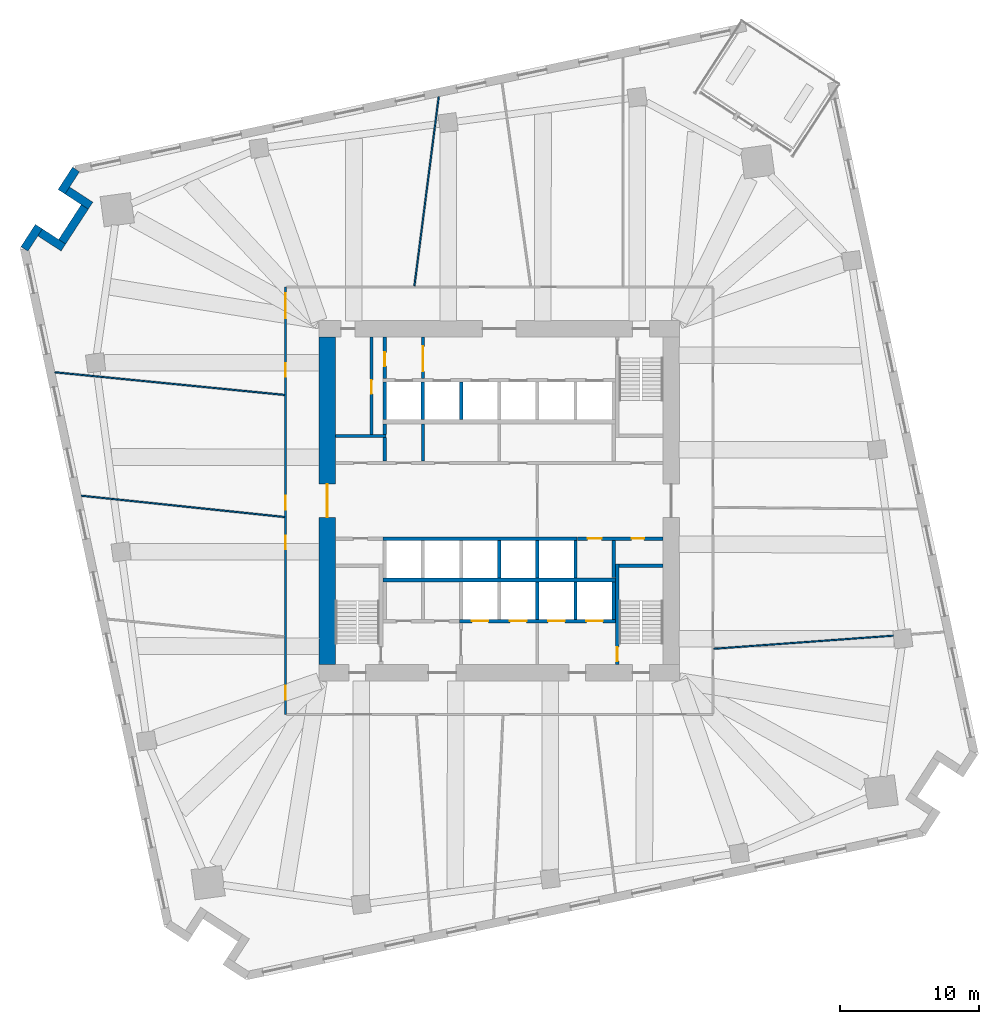
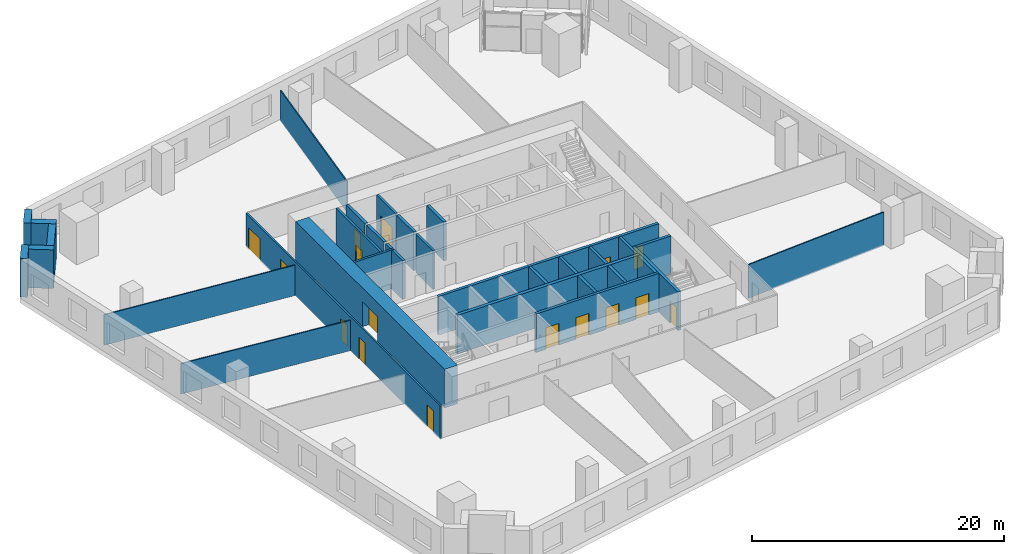
# One storey, part 5 of 10: 34 walls, 16 doors, 16 openings.
"""IFC4 building model written with IfcOpenShell, lengths in metres."""

from ifc_helpers import new_model, si_unit, direction, frame, frame_2d, origin, place, context, subcontext, project, spatial, rectangle, extrude, material, layer, layer_set, type_object, element, fill, save


model = new_model("IFC4")

# Units and contexts
model_context = context("Model", 3, precision=1e-05, world=origin(), true_north=direction((0.0, 1.0)))
body_context = subcontext(model_context, "Body", "Model", "MODEL_VIEW")
ifc_project = project(units=[si_unit("LENGTHUNIT", "METRE"), si_unit("AREAUNIT", "SQUARE_METRE"), si_unit("VOLUMEUNIT", "CUBIC_METRE"), si_unit("PLANEANGLEUNIT", "RADIAN"), si_unit("MASSUNIT", "GRAM", prefix="KILO")], contexts=[model_context])

# Site, building, storey
site_placement = place(None, origin())
site = spatial("IfcSite", under=ifc_project, at=site_placement, CompositionType="ELEMENT")
building_placement = place(site_placement, origin())
building = spatial("IfcBuilding", under=site, at=building_placement, Name="Dilmun Exchange Tower", CompositionType="ELEMENT")
storey_placement = place(building_placement, frame((0.0, 0.0, 68.10009765625)))
storey = spatial("IfcBuildingStorey", under=building, at=storey_placement, Name="L15", CompositionType="ELEMENT", Elevation=68.10009765625)

# Walls
ifc_material_1 = material(Name="Concrete C40/50", Category="concrete")
ifc_layer_1 = layer(ifc_material_1, 0.199951171875)
ifc_layer_set_1 = layer_set([ifc_layer_1], Name="Concrete C40/50")
wall_type_1 = type_object("IfcWallType", Name="Core partition wall 200", PredefinedType="PARTITIONING", material=ifc_layer_set_1)
wall_1_placement = place(storey_placement, frame((-5.5, 2.85498046875, 0.0), z_axis=(0.0, 0.0, 1.0), x_axis=(0.0, 1.0, 0.0)))
element("IfcWall", 1, at=wall_1_placement, inside=storey, type_object=wall_type_1, Name="L15 core partition wall 12", PredefinedType="PARTITIONING", context=body_context, shape_type="SweptSolid", body=[
    extrude(rectangle(XDim=2.68994140625, YDim=0.199951171875, at=frame_2d((1.344970703125, 0.0))), origin(), (0.0, 0.0, 1.0), 3.75),
])
wall_2_placement = place(storey_placement, frame((-11.794921875, 4.675048828125, 0.0), z_axis=(0.0, 0.0, 1.0), x_axis=(1.0, 0.0, 0.0)))
element("IfcWall", 2, at=wall_2_placement, inside=storey, type_object=wall_type_1, Name="L15 core partition wall 15", PredefinedType="PARTITIONING", context=body_context, shape_type="SweptSolid", body=[
    extrude(rectangle(XDim=3.64501953125, YDim=0.199951171875, at=frame_2d((1.822509765625, 0.0))), origin(), (0.0, 0.0, 1.0), 3.75),
])

# Wall, opening, door
wall_3_placement = place(storey_placement, frame((-9.199951171875, 4.780029296875, 0.0), z_axis=(0.0, 0.0, 1.0), x_axis=(0.0, 1.0, 0.0)))
wall_3 = element("IfcWall", 3, at=wall_3_placement, inside=storey, type_object=wall_type_1, Name="L15 core partition wall 16", PredefinedType="PARTITIONING", context=body_context, shape_type="SweptSolid", body=[
    extrude(rectangle(XDim=7.014892578125, YDim=0.199951171875, at=frame_2d((3.50732421875, 0.0))), origin(), (0.0, 0.0, 1.0), 3.75),
])
opening_1_placement = place(wall_3_placement, frame((2.919921875, 0.0, 0.0)))
opening_1 = element("IfcOpeningElement", 4, at=opening_1_placement, cuts=wall_3, Name="Opening CD4", PredefinedType="OPENING", context=body_context, shape_type="SweptSolid", body=[
    extrude(rectangle(XDim=1.0, YDim=2.10009765625, at=frame_2d((0.5, 1.050048828125))), frame((0.0, 0.10986328125, 0.0), z_axis=(0.0, -1.0, 0.0), x_axis=(1.0, 0.0, 0.0)), (0.0, 0.0, 1.0), 0.219970703125),
])
ifc_material_2 = material(Name="Fire-rated steel door set", Category="steel")
door_type_1 = type_object("IfcDoorType", Name="Core room door 1000x2100", OperationType="SINGLE_SWING_LEFT", PredefinedType="DOOR", material=ifc_material_2)
door_1_placement = place(opening_1_placement, origin())
door_1 = element("IfcDoor", 5, at=door_1_placement, inside=storey, type_object=door_type_1, Name="L15 door Fire safety store", OperationType="SINGLE_SWING_RIGHT", OverallHeight=2.10009765625, OverallWidth=1.0, PredefinedType="DOOR", context=body_context, shape_type="SweptSolid", body=[
    extrude(rectangle(XDim=1.0, YDim=2.10009765625, at=frame_2d((0.5, 1.050048828125))), frame((0.0, 0.02490234375, 0.0), z_axis=(0.0, -1.0, 0.0), x_axis=(1.0, 0.0, 0.0)), (0.0, 0.0, 1.0), 0.050048828125),
])
fill(opening_1, door_1)

wall_4_placement = place(storey_placement, frame((-5.5, 8.804931640625, 0.0), z_axis=(0.0, 0.0, 1.0), x_axis=(0.0, 1.0, 0.0)))
wall_4 = element("IfcWall", 6, at=wall_4_placement, inside=storey, type_object=wall_type_1, Name="L15 core partition wall 19", PredefinedType="PARTITIONING", context=body_context, shape_type="SweptSolid", body=[
    extrude(rectangle(XDim=2.989990234375, YDim=0.199951171875, at=frame_2d((1.4951171875, 0.0))), origin(), (0.0, 0.0, 1.0), 3.75),
])
opening_2_placement = place(wall_4_placement, frame((0.532470703125, 0.0, 0.0)))
opening_2 = element("IfcOpeningElement", 7, at=opening_2_placement, cuts=wall_4, Name="Opening CD5", PredefinedType="OPENING", context=body_context, shape_type="SweptSolid", body=[
    extrude(rectangle(XDim=1.800048828125, YDim=2.10009765625, at=frame_2d((0.89990234375, 1.050048828125))), frame((0.0, 0.10986328125, 0.0), z_axis=(0.0, -1.0, 0.0), x_axis=(1.0, 0.0, 0.0)), (0.0, 0.0, 1.0), 0.219970703125),
])
door_type_2 = type_object("IfcDoorType", Name="Stair exit door 1800x2100", OperationType="SINGLE_SWING_LEFT", PredefinedType="DOOR", material=ifc_material_2)
door_2_placement = place(opening_2_placement, origin())
door_2 = element("IfcDoor", 8, at=door_2_placement, inside=storey, type_object=door_type_2, Name="L15 door Lift lobby east", OperationType="SINGLE_SWING_LEFT", OverallHeight=2.10009765625, OverallWidth=1.800048828125, PredefinedType="DOOR", context=body_context, shape_type="SweptSolid", body=[
    extrude(rectangle(XDim=1.800048828125, YDim=2.10009765625, at=frame_2d((0.89990234375, 1.050048828125))), frame((0.0, 0.02490234375, 0.0), z_axis=(0.0, -1.0, 0.0), x_axis=(1.0, 0.0, 0.0)), (0.0, 0.0, 1.0), 0.050048828125),
])
fill(opening_2, door_2)

# Wall
ifc_layer_2 = layer(ifc_material_1, 0.25)
ifc_layer_set_2 = layer_set([ifc_layer_2], Name="Concrete C40/50")
wall_type_2 = type_object("IfcWallType", Name="Core partition wall 250", PredefinedType="PARTITIONING", material=ifc_layer_set_2)
wall_5_placement = place(storey_placement, frame((8.25, -5.544921875, 0.0), z_axis=(0.0, 0.0, 1.0), x_axis=(0.0, 1.0, 0.0)))
element("IfcWall", 9, at=wall_5_placement, inside=storey, type_object=wall_type_2, Name="L15 core partition wall 06", PredefinedType="PARTITIONING", context=body_context, shape_type="SweptSolid", body=[
    extrude(rectangle(XDim=2.68994140625, YDim=0.25, at=frame_2d((1.344970703125, 0.0))), origin(), (0.0, 0.0, 1.0), 3.75),
])

# Wall, openings, doors
wall_6_placement = place(storey_placement, frame((5.6298828125, -2.72509765625, 0.0), z_axis=(0.0, 0.0, 1.0), x_axis=(1.0, 0.0, 0.0)))
wall_6 = element("IfcWall", 10, at=wall_6_placement, inside=storey, type_object=wall_type_2, Name="L15 core partition wall 08", PredefinedType="PARTITIONING", context=body_context, shape_type="SweptSolid", body=[
    extrude(rectangle(XDim=6.1650390625, YDim=0.25, at=frame_2d((3.08251953125, 0.0))), origin(), (0.0, 0.0, 1.0), 3.75),
])
opening_3_placement = place(wall_6_placement, frame((0.7451171875, 0.0, 0.0)))
opening_3 = element("IfcOpeningElement", 11, at=opening_3_placement, cuts=wall_6, Name="Opening CD4", PredefinedType="OPENING", context=body_context, shape_type="SweptSolid", body=[
    extrude(rectangle(XDim=1.0, YDim=2.10009765625, at=frame_2d((0.5, 1.050048828125))), frame((0.0, 0.135009765625, 0.0), z_axis=(0.0, -1.0, 0.0), x_axis=(1.0, 0.0, 0.0)), (0.0, 0.0, 1.0), 0.27001953125),
])
opening_4_placement = place(wall_6_placement, frame((3.919921875, 0.0, 0.0)))
opening_4 = element("IfcOpeningElement", 12, at=opening_4_placement, cuts=wall_6, Name="Opening CD6", PredefinedType="OPENING", context=body_context, shape_type="SweptSolid", body=[
    extrude(rectangle(XDim=0.89990234375, YDim=2.10009765625, at=frame_2d((0.449951171875, 1.050048828125))), frame((0.0, 0.135009765625, 0.0), z_axis=(0.0, -1.0, 0.0), x_axis=(1.0, 0.0, 0.0)), (0.0, 0.0, 1.0), 0.27001953125),
])
door_3_placement = place(opening_3_placement, origin())
door_3 = element("IfcDoor", 13, at=door_3_placement, inside=storey, type_object=door_type_1, Name="L15 door Cleaners' store", OperationType="SINGLE_SWING_RIGHT", OverallHeight=2.10009765625, OverallWidth=1.0, PredefinedType="DOOR", context=body_context, shape_type="SweptSolid", body=[
    extrude(rectangle(XDim=1.0, YDim=2.10009765625, at=frame_2d((0.5, 1.050048828125))), frame((0.0, 0.02490234375, 0.0), z_axis=(0.0, -1.0, 0.0), x_axis=(1.0, 0.0, 0.0)), (0.0, 0.0, 1.0), 0.050048828125),
])
fill(opening_3, door_3)
door_type_3 = type_object("IfcDoorType", Name="Core room door 900x2100", OperationType="SINGLE_SWING_LEFT", PredefinedType="DOOR", material=ifc_material_2)
door_4_placement = place(opening_4_placement, origin())
door_4 = element("IfcDoor", 14, at=door_4_placement, inside=storey, type_object=door_type_3, Name="L15 door Comms riser", OperationType="SINGLE_SWING_RIGHT", OverallHeight=2.10009765625, OverallWidth=0.89990234375, PredefinedType="DOOR", context=body_context, shape_type="SweptSolid", body=[
    extrude(rectangle(XDim=0.89990234375, YDim=2.10009765625, at=frame_2d((0.449951171875, 1.050048828125))), frame((0.0, 0.02490234375, 0.0), z_axis=(0.0, -1.0, 0.0), x_axis=(1.0, 0.0, 0.0)), (0.0, 0.0, 1.0), 0.050048828125),
])
fill(opening_4, door_4)

# Walls
wall_7_placement = place(storey_placement, frame((-8.25, 2.85498046875, 0.0), z_axis=(0.0, 0.0, 1.0), x_axis=(0.0, 1.0, 0.0)))
element("IfcWall", 15, at=wall_7_placement, inside=storey, type_object=wall_type_2, Name="L15 core partition wall 11", PredefinedType="PARTITIONING", context=body_context, shape_type="SweptSolid", body=[
    extrude(rectangle(XDim=1.715087890625, YDim=0.25, at=frame_2d((0.857421875, 0.0))), origin(), (0.0, 0.0, 1.0), 3.75),
])
wall_8_placement = place(storey_placement, frame((-8.25, 4.780029296875, 0.0), z_axis=(0.0, 0.0, 1.0), x_axis=(0.0, 1.0, 0.0)))
element("IfcWall", 16, at=wall_8_placement, inside=storey, type_object=wall_type_2, Name="L15 core partition wall 17", PredefinedType="PARTITIONING", context=body_context, shape_type="SweptSolid", body=[
    extrude(rectangle(XDim=0.764892578125, YDim=0.25, at=frame_2d((0.38232421875, 0.0))), origin(), (0.0, 0.0, 1.0), 3.75),
])

# Wall, opening, door
wall_9_placement = place(storey_placement, frame((-8.25, 8.804931640625, 0.0), z_axis=(0.0, 0.0, 1.0), x_axis=(0.0, 1.0, 0.0)))
wall_9 = element("IfcWall", 17, at=wall_9_placement, inside=storey, type_object=wall_type_2, Name="L15 core partition wall 18", PredefinedType="PARTITIONING", context=body_context, shape_type="SweptSolid", body=[
    extrude(rectangle(XDim=2.989990234375, YDim=0.25, at=frame_2d((1.4951171875, 0.0))), origin(), (0.0, 0.0, 1.0), 3.75),
])
opening_5_placement = place(wall_9_placement, frame((0.89501953125, 0.0, 0.0)))
opening_5 = element("IfcOpeningElement", 18, at=opening_5_placement, cuts=wall_9, Name="Opening CD4", PredefinedType="OPENING", context=body_context, shape_type="SweptSolid", body=[
    extrude(rectangle(XDim=1.0, YDim=2.10009765625, at=frame_2d((0.5, 1.050048828125))), frame((0.0, 0.135009765625, 0.0), z_axis=(0.0, -1.0, 0.0), x_axis=(1.0, 0.0, 0.0)), (0.0, 0.0, 1.0), 0.27001953125),
])
door_5_placement = place(opening_5_placement, origin())
door_5 = element("IfcDoor", 19, at=door_5_placement, inside=storey, type_object=door_type_1, Name="L15 door Tenant services room", OperationType="SINGLE_SWING_RIGHT", OverallHeight=2.10009765625, OverallWidth=1.0, PredefinedType="DOOR", context=body_context, shape_type="SweptSolid", body=[
    extrude(rectangle(XDim=1.0, YDim=2.10009765625, at=frame_2d((0.5, 1.050048828125))), frame((0.0, 0.02490234375, 0.0), z_axis=(0.0, -1.0, 0.0), x_axis=(1.0, 0.0, 0.0)), (0.0, 0.0, 1.0), 0.050048828125),
])
fill(opening_5, door_5)

ifc_material_3 = material(Name="Concrete C80/95", Category="concrete")
ifc_layer_3 = layer(ifc_material_3, 1.199951171875)
ifc_layer_set_3 = layer_set([ifc_layer_3], Name="Concrete C80/95")
wall_type_3 = type_object("IfcWallType", Name="Core shear wall 1200 Concrete C80/95", PredefinedType="SHEAR", material=ifc_layer_set_3)
wall_10_placement = place(storey_placement, frame((-12.39990234375, -11.800048828125, 0.0), z_axis=(0.0, 0.0, 1.0), x_axis=(0.0, 1.0, 0.0)))
wall_10 = element("IfcWall", 20, at=wall_10_placement, inside=storey, type_object=wall_type_3, Name="L15 core shear wall W", PredefinedType="SHEAR", context=body_context, shape_type="SweptSolid", body=[
    extrude(rectangle(XDim=23.60009765625, YDim=1.199951171875, at=frame_2d((11.800048828125, 0.0))), origin(), (0.0, 0.0, 1.0), 3.75),
])
opening_6_placement = place(wall_10_placement, frame((10.60009765625, 0.0, 0.0)))
opening_6 = element("IfcOpeningElement", 21, at=opening_6_placement, cuts=wall_10, Name="Opening CD1", PredefinedType="OPENING", context=body_context, shape_type="SweptSolid", body=[
    extrude(rectangle(XDim=2.39990234375, YDim=2.39990234375, at=frame_2d((1.199951171875, 1.199951171875))), frame((0.0, 0.60986328125, 0.0), z_axis=(0.0, -1.0, 0.0), x_axis=(1.0, 0.0, 0.0)), (0.0, 0.0, 1.0), 1.219970703125),
])
door_type_4 = type_object("IfcDoorType", Name="Core lobby door 2400x2400", OperationType="DOUBLE_DOOR_DOUBLE_SWING", PredefinedType="DOOR", material=ifc_material_2)
door_6_placement = place(opening_6_placement, origin())
door_6 = element("IfcDoor", 22, at=door_6_placement, inside=storey, type_object=door_type_4, Name="L15 door Central lift lobby", OperationType="SINGLE_SWING_LEFT", OverallHeight=2.39990234375, OverallWidth=2.39990234375, PredefinedType="DOOR", context=body_context, shape_type="SweptSolid", body=[
    extrude(rectangle(XDim=2.39990234375, YDim=2.39990234375, at=frame_2d((1.199951171875, 1.199951171875))), frame((0.0, 0.02490234375, 0.0), z_axis=(0.0, -1.0, 0.0), x_axis=(1.0, 0.0, 0.0)), (0.0, 0.0, 1.0), 0.050048828125),
])
fill(opening_6, door_6)

# Wall, openings, doors
ifc_material_4 = material(Name="Corridor wall 150")
ifc_layer_4 = layer(ifc_material_4, 0.14990234375)
ifc_layer_set_4 = layer_set([ifc_layer_4], Name="Corridor wall 150")
wall_type_4 = type_object("IfcWallType", Name="Corridor wall 150", PredefinedType="PARTITIONING", material=ifc_layer_set_4)
wall_11_placement = place(storey_placement, frame((-15.39990234375, -15.39990234375, 0.0), z_axis=(0.0, 0.0, 1.0), x_axis=(0.0, 1.0, 0.0)))
wall_11 = element("IfcWall", 23, at=wall_11_placement, inside=storey, type_object=wall_type_4, Name="Corridor wall", PredefinedType="PARTITIONING", context=body_context, shape_type="SweptSolid", body=[
    extrude(rectangle(XDim=30.7998046875, YDim=0.14990234375, at=frame_2d((15.39990234375, 0.0))), origin(), (0.0, 0.0, 1.0), 3.25),
])
opening_7_placement = place(wall_11_placement, frame((14.771484375, 0.0, 0.0)))
opening_7 = element("IfcOpeningElement", 24, at=opening_7_placement, cuts=wall_11, Name="Opening TF15-D01", PredefinedType="OPENING", context=body_context, shape_type="SweptSolid", body=[
    extrude(rectangle(XDim=1.0, YDim=2.10009765625, at=frame_2d((0.5, 1.050048828125))), frame((0.0, 0.0849609375, 0.0), z_axis=(0.0, -1.0, 0.0), x_axis=(1.0, 0.0, 0.0)), (0.0, 0.0, 1.0), 0.169921875),
])
opening_8_placement = place(wall_11_placement, frame((11.897216796875, 0.0, 0.0)))
opening_8 = element("IfcOpeningElement", 25, at=opening_8_placement, cuts=wall_11, Name="Opening TF15-D02", PredefinedType="OPENING", context=body_context, shape_type="SweptSolid", body=[
    extrude(rectangle(XDim=1.0, YDim=2.10009765625, at=frame_2d((0.5, 1.050048828125))), frame((0.0, 0.0849609375, 0.0), z_axis=(0.0, -1.0, 0.0), x_axis=(1.0, 0.0, 0.0)), (0.0, 0.0, 1.0), 0.169921875),
])
opening_9_placement = place(wall_11_placement, frame((28.5732421875, 0.0, 0.0)))
opening_9 = element("IfcOpeningElement", 26, at=opening_9_placement, cuts=wall_11, Name="Opening TF15-D03", PredefinedType="OPENING", context=body_context, shape_type="SweptSolid", body=[
    extrude(rectangle(XDim=1.800048828125, YDim=2.10009765625, at=frame_2d((0.89990234375, 1.050048828125))), frame((0.0, 0.0849609375, 0.0), z_axis=(0.0, -1.0, 0.0), x_axis=(1.0, 0.0, 0.0)), (0.0, 0.0, 1.0), 0.169921875),
])
opening_10_placement = place(wall_11_placement, frame((24.3232421875, 0.0, 0.0)))
opening_10 = element("IfcOpeningElement", 27, at=opening_10_placement, cuts=wall_11, Name="Opening TF15-D04", PredefinedType="OPENING", context=body_context, shape_type="SweptSolid", body=[
    extrude(rectangle(XDim=1.0, YDim=2.10009765625, at=frame_2d((0.5, 1.050048828125))), frame((0.0, 0.0849609375, 0.0), z_axis=(0.0, -1.0, 0.0), x_axis=(1.0, 0.0, 0.0)), (0.0, 0.0, 1.0), 0.169921875),
])
opening_11_placement = place(wall_11_placement, frame((1.050048828125, 0.0, 0.0)))
opening_11 = element("IfcOpeningElement", 28, at=opening_11_placement, cuts=wall_11, Name="Opening TF15-D06", PredefinedType="OPENING", context=body_context, shape_type="SweptSolid", body=[
    extrude(rectangle(XDim=1.0, YDim=2.10009765625, at=frame_2d((0.5, 1.050048828125))), frame((0.0, 0.0849609375, 0.0), z_axis=(0.0, -1.0, 0.0), x_axis=(1.0, 0.0, 0.0)), (0.0, 0.0, 1.0), 0.169921875),
])
ifc_material_5 = material(Name="Fire door 1000 x 2100")
door_type_5 = type_object("IfcDoorType", Name="Fire door 1000 x 2100", OperationType="NOTDEFINED", PredefinedType="DOOR", material=ifc_material_5)
door_7_placement = place(opening_7_placement, origin())
door_7 = element("IfcDoor", 29, at=door_7_placement, inside=storey, type_object=door_type_5, Name="Door TF15-D01", OperationType="SINGLE_SWING_RIGHT", OverallHeight=2.10009765625, OverallWidth=1.0, PredefinedType="DOOR", context=body_context, shape_type="SweptSolid", body=[
    extrude(rectangle(XDim=1.0, YDim=2.10009765625, at=frame_2d((0.5, 1.050048828125))), frame((0.0, 0.02490234375, 0.0), z_axis=(0.0, -1.0, 0.0), x_axis=(1.0, 0.0, 0.0)), (0.0, 0.0, 1.0), 0.050048828125),
])
fill(opening_7, door_7)
door_8_placement = place(opening_8_placement, origin())
door_8 = element("IfcDoor", 30, at=door_8_placement, inside=storey, type_object=door_type_5, Name="Door TF15-D02", OperationType="SINGLE_SWING_RIGHT", OverallHeight=2.10009765625, OverallWidth=1.0, PredefinedType="DOOR", context=body_context, shape_type="SweptSolid", body=[
    extrude(rectangle(XDim=1.0, YDim=2.10009765625, at=frame_2d((0.5, 1.050048828125))), frame((0.0, 0.02490234375, 0.0), z_axis=(0.0, -1.0, 0.0), x_axis=(1.0, 0.0, 0.0)), (0.0, 0.0, 1.0), 0.050048828125),
])
fill(opening_8, door_8)
door_9_placement = place(opening_10_placement, origin())
door_9 = element("IfcDoor", 31, at=door_9_placement, inside=storey, type_object=door_type_5, Name="Door TF15-D04", OperationType="SINGLE_SWING_LEFT", OverallHeight=2.10009765625, OverallWidth=1.0, PredefinedType="DOOR", context=body_context, shape_type="SweptSolid", body=[
    extrude(rectangle(XDim=1.0, YDim=2.10009765625, at=frame_2d((0.5, 1.050048828125))), frame((0.0, 0.02490234375, 0.0), z_axis=(0.0, -1.0, 0.0), x_axis=(1.0, 0.0, 0.0)), (0.0, 0.0, 1.0), 0.050048828125),
])
fill(opening_10, door_9)
door_10_placement = place(opening_11_placement, origin())
door_10 = element("IfcDoor", 32, at=door_10_placement, inside=storey, type_object=door_type_5, Name="Door TF15-D06", OperationType="SINGLE_SWING_RIGHT", OverallHeight=2.10009765625, OverallWidth=1.0, PredefinedType="DOOR", context=body_context, shape_type="SweptSolid", body=[
    extrude(rectangle(XDim=1.0, YDim=2.10009765625, at=frame_2d((0.5, 1.050048828125))), frame((0.0, 0.02490234375, 0.0), z_axis=(0.0, -1.0, 0.0), x_axis=(1.0, 0.0, 0.0)), (0.0, 0.0, 1.0), 0.050048828125),
])
fill(opening_11, door_10)
ifc_material_6 = material(Name="Fire door pair 1800 x 2100")
door_type_6 = type_object("IfcDoorType", Name="Fire door pair 1800 x 2100", OperationType="NOTDEFINED", PredefinedType="DOOR", material=ifc_material_6)
door_11_placement = place(opening_9_placement, origin())
door_11 = element("IfcDoor", 33, at=door_11_placement, inside=storey, type_object=door_type_6, Name="Door TF15-D03", OperationType="DOUBLE_DOOR_SINGLE_SWING", OverallHeight=2.10009765625, OverallWidth=1.800048828125, PredefinedType="DOOR", context=body_context, shape_type="SweptSolid", body=[
    extrude(rectangle(XDim=1.800048828125, YDim=2.10009765625, at=frame_2d((0.89990234375, 1.050048828125))), frame((0.0, 0.02490234375, 0.0), z_axis=(0.0, -1.0, 0.0), x_axis=(1.0, 0.0, 0.0)), (0.0, 0.0, 1.0), 0.050048828125),
])
fill(opening_9, door_11)

# Walls
ifc_layer_5 = layer(ifc_material_1, 0.300048828125)
ifc_layer_set_5 = layer_set([ifc_layer_5], Name="Concrete C40/50")
wall_type_5 = type_object("IfcWallType", Name="Lift shaft shared wall 300", PredefinedType="SOLIDWALL", material=ifc_layer_set_5)
wall_12_placement = place(storey_placement, frame((-8.375, -5.699951171875, 0.0), z_axis=(0.0, 0.0, 1.0), x_axis=(1.0, 0.0, 0.0)))
element("IfcWall", 34, at=wall_12_placement, inside=storey, type_object=wall_type_5, Name="L15 lift shaft rear wall S", PredefinedType="SOLIDWALL", context=body_context, shape_type="SweptSolid", body=[
    extrude(rectangle(XDim=16.75, YDim=0.300048828125, at=frame_2d((8.375, 0.0))), origin(), (0.0, 0.0, 1.0), 3.75),
])
ifc_layer_6 = layer(ifc_material_1, 0.25)
ifc_layer_set_6 = layer_set([ifc_layer_6], Name="Concrete C40/50")
wall_type_6 = type_object("IfcWallType", Name="Lift shaft wall 250", PredefinedType="SOLIDWALL", material=ifc_layer_set_6)
for number, where, z_axis, x_axis, name in (
    (35, (-8.25, 5.85009765625, 0.0), (0.0, 0.0, 1.0), (0.0, 1.0, 0.0), "L15 lift shaft divider N20"),
    (36, (-5.5, 5.85009765625, 0.0), (0.0, 0.0, 1.0), (0.0, 1.0, 0.0), "L15 lift shaft divider N21"),
    (37, (-2.75, 5.85009765625, 0.0), (0.0, 0.0, 1.0), (0.0, 1.0, 0.0), "L15 lift shaft divider N22"),
):
    element("IfcWall", number, at=place(storey_placement, frame(where, z_axis=z_axis, x_axis=x_axis)), inside=storey, type_object=wall_type_6, Name=name, PredefinedType="SOLIDWALL", context=body_context, shape_type="SweptSolid", body=[
        extrude(rectangle(XDim=2.699951171875, YDim=0.25, at=frame_2d((1.35009765625, 0.0))), origin(), (0.0, 0.0, 1.0), 3.75),
    ])
wall_13_placement = place(storey_placement, frame((-8.375, -2.72509765625, 0.0), z_axis=(0.0, 0.0, 1.0), x_axis=(1.0, 0.0, 0.0)))
element("IfcWall", 38, at=wall_13_placement, inside=storey, type_object=wall_type_6, Name="L15 lift shaft front wall S1", PredefinedType="SOLIDWALL", context=body_context, shape_type="SweptSolid", body=[
    extrude(rectangle(XDim=14.0, YDim=0.25, at=frame_2d((7.0, 0.0))), origin(), (0.0, 0.0, 1.0), 3.75),
])
for number, where, z_axis, x_axis, name in (
    (39, (0.0, -5.550048828125, 0.0), (0.0, 0.0, 1.0), (0.0, 1.0, 0.0), "L15 lift shaft divider S13"),
    (40, (2.75, -5.550048828125, 0.0), (0.0, 0.0, 1.0), (0.0, 1.0, 0.0), "L15 lift shaft divider S14"),
    (41, (5.5, -5.550048828125, 0.0), (0.0, 0.0, 1.0), (0.0, 1.0, 0.0), "L15 lift shaft divider S15"),
):
    element("IfcWall", number, at=place(storey_placement, frame(where, z_axis=z_axis, x_axis=x_axis)), inside=storey, type_object=wall_type_6, Name=name, PredefinedType="SOLIDWALL", context=body_context, shape_type="SweptSolid", body=[
        extrude(rectangle(XDim=2.699951171875, YDim=0.25, at=frame_2d((1.35009765625, 0.0))), origin(), (0.0, 0.0, 1.0), 3.75),
    ])

# Wall, openings, doors
wall_14_placement = place(storey_placement, frame((-2.875, -8.675048828125, 0.0), z_axis=(0.0, 0.0, 1.0), x_axis=(1.0, 0.0, 0.0)))
wall_14 = element("IfcWall", 42, at=wall_14_placement, inside=storey, type_object=wall_type_6, Name="L15 lift shaft front wall S2", PredefinedType="SOLIDWALL", context=body_context, shape_type="SweptSolid", body=[
    extrude(rectangle(XDim=11.25, YDim=0.25, at=frame_2d((5.625, 0.0))), origin(), (0.0, 0.0, 1.0), 3.75),
])
opening_12_placement = place(wall_14_placement, frame((0.89990234375, 0.0, 0.0)))
opening_12 = element("IfcOpeningElement", 43, at=opening_12_placement, cuts=wall_14, Name="Opening LD", PredefinedType="OPENING", context=body_context, shape_type="SweptSolid", body=[
    extrude(rectangle(XDim=1.199951171875, YDim=2.10009765625, at=frame_2d((0.60009765625, 1.050048828125))), frame((0.0, 0.135009765625, 0.0), z_axis=(0.0, -1.0, 0.0), x_axis=(1.0, 0.0, 0.0)), (0.0, 0.0, 1.0), 0.27001953125),
])
opening_13_placement = place(wall_14_placement, frame((3.64990234375, 0.0, 0.0)))
opening_13 = element("IfcOpeningElement", 44, at=opening_13_placement, cuts=wall_14, Name="Opening LD", PredefinedType="OPENING", context=body_context, shape_type="SweptSolid", body=[
    extrude(rectangle(XDim=1.199951171875, YDim=2.10009765625, at=frame_2d((0.60009765625, 1.050048828125))), frame((0.0, 0.135009765625, 0.0), z_axis=(0.0, -1.0, 0.0), x_axis=(1.0, 0.0, 0.0)), (0.0, 0.0, 1.0), 0.27001953125),
])
opening_14_placement = place(wall_14_placement, frame((6.39990234375, 0.0, 0.0)))
opening_14 = element("IfcOpeningElement", 45, at=opening_14_placement, cuts=wall_14, Name="Opening LD", PredefinedType="OPENING", context=body_context, shape_type="SweptSolid", body=[
    extrude(rectangle(XDim=1.199951171875, YDim=2.10009765625, at=frame_2d((0.60009765625, 1.050048828125))), frame((0.0, 0.135009765625, 0.0), z_axis=(0.0, -1.0, 0.0), x_axis=(1.0, 0.0, 0.0)), (0.0, 0.0, 1.0), 0.27001953125),
])
opening_15_placement = place(wall_14_placement, frame((9.14990234375, 0.0, 0.0)))
opening_15 = element("IfcOpeningElement", 46, at=opening_15_placement, cuts=wall_14, Name="Opening LD", PredefinedType="OPENING", context=body_context, shape_type="SweptSolid", body=[
    extrude(rectangle(XDim=1.199951171875, YDim=2.10009765625, at=frame_2d((0.60009765625, 1.050048828125))), frame((0.0, 0.135009765625, 0.0), z_axis=(0.0, -1.0, 0.0), x_axis=(1.0, 0.0, 0.0)), (0.0, 0.0, 1.0), 0.27001953125),
])
door_type_7 = type_object("IfcDoorType", Name="Lift landing door 1200x2100", OperationType="DOUBLE_DOOR_SLIDING", PredefinedType="DOOR", material=ifc_material_2)
door_12_placement = place(opening_12_placement, origin())
door_12 = element("IfcDoor", 47, at=door_12_placement, inside=storey, type_object=door_type_7, Name="L15 landing door SV1", OperationType="DOUBLE_DOOR_SLIDING", OverallHeight=2.10009765625, OverallWidth=1.199951171875, PredefinedType="DOOR", context=body_context, shape_type="SweptSolid", body=[
    extrude(rectangle(XDim=1.199951171875, YDim=2.10009765625, at=frame_2d((0.60009765625, 1.050048828125))), frame((0.0, 0.02490234375, 0.0), z_axis=(0.0, -1.0, 0.0), x_axis=(1.0, 0.0, 0.0)), (0.0, 0.0, 1.0), 0.050048828125),
])
fill(opening_12, door_12)
door_13_placement = place(opening_13_placement, origin())
door_13 = element("IfcDoor", 48, at=door_13_placement, inside=storey, type_object=door_type_7, Name="L15 landing door SV2", OperationType="DOUBLE_DOOR_SLIDING", OverallHeight=2.10009765625, OverallWidth=1.199951171875, PredefinedType="DOOR", context=body_context, shape_type="SweptSolid", body=[
    extrude(rectangle(XDim=1.199951171875, YDim=2.10009765625, at=frame_2d((0.60009765625, 1.050048828125))), frame((0.0, 0.02490234375, 0.0), z_axis=(0.0, -1.0, 0.0), x_axis=(1.0, 0.0, 0.0)), (0.0, 0.0, 1.0), 0.050048828125),
])
fill(opening_13, door_13)
door_14_placement = place(opening_14_placement, origin())
door_14 = element("IfcDoor", 49, at=door_14_placement, inside=storey, type_object=door_type_7, Name="L15 landing door FF1", OperationType="DOUBLE_DOOR_SLIDING", OverallHeight=2.10009765625, OverallWidth=1.199951171875, PredefinedType="DOOR", context=body_context, shape_type="SweptSolid", body=[
    extrude(rectangle(XDim=1.199951171875, YDim=2.10009765625, at=frame_2d((0.60009765625, 1.050048828125))), frame((0.0, 0.02490234375, 0.0), z_axis=(0.0, -1.0, 0.0), x_axis=(1.0, 0.0, 0.0)), (0.0, 0.0, 1.0), 0.050048828125),
])
fill(opening_14, door_14)
door_15_placement = place(opening_15_placement, origin())
door_15 = element("IfcDoor", 50, at=door_15_placement, inside=storey, type_object=door_type_7, Name="L15 landing door FF2", OperationType="DOUBLE_DOOR_SLIDING", OverallHeight=2.10009765625, OverallWidth=1.199951171875, PredefinedType="DOOR", context=body_context, shape_type="SweptSolid", body=[
    extrude(rectangle(XDim=1.199951171875, YDim=2.10009765625, at=frame_2d((0.60009765625, 1.050048828125))), frame((0.0, 0.02490234375, 0.0), z_axis=(0.0, -1.0, 0.0), x_axis=(1.0, 0.0, 0.0)), (0.0, 0.0, 1.0), 0.050048828125),
])
fill(opening_15, door_15)

# Walls
for number, where, z_axis, x_axis, name in (
    (51, (2.75, -8.550048828125, 0.0), (0.0, 0.0, 1.0), (0.0, 1.0, 0.0), "L15 lift shaft divider S24"),
    (52, (5.5, -8.550048828125, 0.0), (0.0, 0.0, 1.0), (0.0, 1.0, 0.0), "L15 lift shaft divider S25"),
    (53, (8.25, -8.550048828125, 0.0), (0.0, 0.0, 1.0), (0.0, 1.0, 0.0), "L15 lift shaft divider S26"),
):
    element("IfcWall", number, at=place(storey_placement, frame(where, z_axis=z_axis, x_axis=x_axis)), inside=storey, type_object=wall_type_6, Name=name, PredefinedType="SOLIDWALL", context=body_context, shape_type="SweptSolid", body=[
        extrude(rectangle(XDim=2.699951171875, YDim=0.25, at=frame_2d((1.35009765625, 0.0))), origin(), (0.0, 0.0, 1.0), 3.75),
    ])
ifc_material_7 = material(Name="Partition 100")
ifc_layer_7 = layer(ifc_material_7, 0.10009765625)
ifc_layer_set_7 = layer_set([ifc_layer_7], Name="Partition 100")
wall_type_7 = type_object("IfcWallType", Name="Partition 100", PredefinedType="PARTITIONING", material=ifc_layer_set_7)
wall_15_placement = place(storey_placement, frame((-32.023681640625, 9.262939453125, 0.0), z_axis=(0.0, 0.0, 1.0), x_axis=(0.995169060452, -0.098176072032, 0.0)))
element("IfcWall", 54, at=wall_15_placement, inside=storey, type_object=wall_type_7, Name="Partition", PredefinedType="PARTITIONING", context=body_context, shape_type="SweptSolid", body=[
    extrude(rectangle(XDim=16.6240234375, YDim=0.10009765625, at=frame_2d((8.31201171875, 0.0))), origin(), (0.0, 0.0, 1.0), 2.949951171875),
])
wall_16_placement = place(storey_placement, frame((-30.132568359375, 0.365966796875, 0.0), z_axis=(0.0, 0.0, 1.0), x_axis=(0.994552749897, -0.104234484085, 0.0)))
element("IfcWall", 55, at=wall_16_placement, inside=storey, type_object=wall_type_7, Name="Partition", PredefinedType="PARTITIONING", context=body_context, shape_type="SweptSolid", body=[
    extrude(rectangle(XDim=14.732666015625, YDim=0.10009765625, at=frame_2d((7.3662109375, 0.0))), origin(), (0.0, 0.0, 1.0), 2.949951171875),
])
wall_17_placement = place(storey_placement, frame((-6.112548828125, 15.4814453125, 0.0), z_axis=(0.0, 0.0, 1.0), x_axis=(0.127303532476, 0.991863806487, 0.0)))
element("IfcWall", 56, at=wall_17_placement, inside=storey, type_object=wall_type_7, Name="Partition", PredefinedType="PARTITIONING", context=body_context, shape_type="SweptSolid", body=[
    extrude(rectangle(XDim=13.75830078125, YDim=0.10009765625, at=frame_2d((6.879150390625, 0.0))), origin(), (0.0, 0.0, 1.0), 2.949951171875),
])
wall_18_placement = place(storey_placement, frame((15.478515625, -10.664306640625, 0.0), z_axis=(0.0, 0.0, 1.0), x_axis=(0.997362198838, 0.072585427795, 0.0)))
element("IfcWall", 57, at=wall_18_placement, inside=storey, type_object=wall_type_7, Name="Partition", PredefinedType="PARTITIONING", context=body_context, shape_type="SweptSolid", body=[
    extrude(rectangle(XDim=12.962890625, YDim=0.10009765625, at=frame_2d((6.4814453125, 0.0))), origin(), (0.0, 0.0, 1.0), 3.25),
])
ifc_material_8 = material(Name="Precast concrete C50/60", Category="concrete")
ifc_layer_8 = layer(ifc_material_8, 0.60009765625)
ifc_layer_set_8 = layer_set([ifc_layer_8], Name="Precast concrete C50/60")
wall_type_8 = type_object("IfcWallType", Name="Precast stone-clad wall 600", PredefinedType="STANDARD", material=ifc_layer_set_8)
wall_19_placement = place(storey_placement, frame((-30.507080078125, 23.87890625, 0.0), z_axis=(0.0, 0.0, 1.0), x_axis=(-0.5446964617, -0.838633271825, 0.0)))
element("IfcWall", 58, at=wall_19_placement, inside=storey, type_object=wall_type_8, Name="Facade wall L15-04", PredefinedType="STANDARD", context=body_context, shape_type="SweptSolid", body=[
    extrude(rectangle(XDim=1.9111328125, YDim=0.60009765625, at=frame_2d((0.95556640625, 0.0))), origin(), (0.0, 0.0, 1.0), 3.75),
])
wall_20_placement = place(storey_placement, frame((-31.133056640625, 22.3642578125, 0.0), z_axis=(0.0, 0.0, 1.0), x_axis=(0.838638792855, -0.54468796124, 0.0)))
element("IfcWall", 59, at=wall_20_placement, inside=storey, type_object=wall_type_8, Name="Facade wall L15-05", PredefinedType="STANDARD", context=body_context, shape_type="SweptSolid", body=[
    extrude(rectangle(XDim=2.0, YDim=0.60009765625, at=frame_2d((1.0, 0.0))), origin(), (0.0, 0.0, 1.0), 3.75),
])
wall_21_placement = place(storey_placement, frame((-29.87060546875, 21.186767578125, 0.0), z_axis=(0.0, 0.0, 1.0), x_axis=(-0.54468796124, -0.838638792855, 0.0)))
element("IfcWall", 60, at=wall_21_placement, inside=storey, type_object=wall_type_8, Name="Facade wall L15-06", PredefinedType="STANDARD", context=body_context, shape_type="SweptSolid", body=[
    extrude(rectangle(XDim=3.0, YDim=0.60009765625, at=frame_2d((1.5, 0.0))), origin(), (0.0, 0.0, 1.0), 3.75),
])
wall_22_placement = place(storey_placement, frame((-31.41650390625, 18.255859375, 0.0), z_axis=(0.0, 0.0, 1.0), x_axis=(-0.838638792855, 0.54468796124, 0.0)))
element("IfcWall", 61, at=wall_22_placement, inside=storey, type_object=wall_type_8, Name="Facade wall L15-07", PredefinedType="STANDARD", context=body_context, shape_type="SweptSolid", body=[
    extrude(rectangle(XDim=2.0, YDim=0.60009765625, at=frame_2d((1.0, 0.0))), origin(), (0.0, 0.0, 1.0), 3.75),
])
wall_23_placement = place(storey_placement, frame((-33.181884765625, 19.760009765625, 0.0), z_axis=(0.0, 0.0, 1.0), x_axis=(-0.5446964617, -0.838633271825, 0.0)))
element("IfcWall", 62, at=wall_23_placement, inside=storey, type_object=wall_type_8, Name="Facade wall L15-08", PredefinedType="STANDARD", context=body_context, shape_type="SweptSolid", body=[
    extrude(rectangle(XDim=1.9111328125, YDim=0.60009765625, at=frame_2d((0.95556640625, 0.0))), origin(), (0.0, 0.0, 1.0), 3.75),
])
ifc_layer_9 = layer(ifc_material_1, 0.25)
ifc_layer_set_9 = layer_set([ifc_layer_9], Name="Concrete C40/50")
wall_type_9 = type_object("IfcWallType", Name="Stair end wall 250", PredefinedType="SOLIDWALL", material=ifc_layer_set_9)
wall_24_placement = place(storey_placement, frame((8.64990234375, -4.675048828125, 0.0), z_axis=(0.0, 0.0, 1.0), x_axis=(1.0, 0.0, 0.0)))
element("IfcWall", 63, at=wall_24_placement, inside=storey, type_object=wall_type_9, Name="L15 ST3 far wall", PredefinedType="SOLIDWALL", context=body_context, shape_type="SweptSolid", body=[
    extrude(rectangle(XDim=3.150146484375, YDim=0.25, at=frame_2d((1.5751953125, 0.0))), origin(), (0.0, 0.0, 1.0), 3.75),
])

# Wall, opening, door
ifc_layer_10 = layer(ifc_material_1, 0.27490234375)
ifc_layer_set_10 = layer_set([ifc_layer_10], Name="Concrete C40/50")
wall_type_10 = type_object("IfcWallType", Name="Stair wall 275", PredefinedType="SOLIDWALL", material=ifc_layer_set_10)
wall_25_placement = place(storey_placement, frame((8.512451171875, -4.550048828125, 0.0), z_axis=(0.0, 0.0, 1.0), x_axis=(0.0, -1.0, 0.0)))
wall_25 = element("IfcWall", 64, at=wall_25_placement, inside=storey, type_object=wall_type_10, Name="L15 ST3 wall to lift block", PredefinedType="SOLIDWALL", context=body_context, shape_type="SweptSolid", body=[
    extrude(rectangle(XDim=7.25, YDim=0.27490234375, at=frame_2d((3.625, 0.0))), origin(), (0.0, 0.0, 1.0), 3.75),
])
opening_16_placement = place(wall_25_placement, frame((6.0, 0.0, 0.0)))
opening_16 = element("IfcOpeningElement", 65, at=opening_16_placement, cuts=wall_25, Name="Opening CD4", PredefinedType="OPENING", context=body_context, shape_type="SweptSolid", body=[
    extrude(rectangle(XDim=1.0, YDim=2.10009765625, at=frame_2d((0.5, 1.050048828125))), frame((0.0, 0.1474609375, 0.0), z_axis=(0.0, -1.0, 0.0), x_axis=(1.0, 0.0, 0.0)), (0.0, 0.0, 1.0), 0.294921875),
])
door_16_placement = place(opening_16_placement, origin())
door_16 = element("IfcDoor", 66, at=door_16_placement, inside=storey, type_object=door_type_1, Name="L15 door ST3 from lobby", OperationType="SINGLE_SWING_LEFT", OverallHeight=2.10009765625, OverallWidth=1.0, PredefinedType="DOOR", context=body_context, shape_type="SweptSolid", body=[
    extrude(rectangle(XDim=1.0, YDim=2.10009765625, at=frame_2d((0.5, 1.050048828125))), frame((0.0, 0.02490234375, 0.0), z_axis=(0.0, -1.0, 0.0), x_axis=(1.0, 0.0, 0.0)), (0.0, 0.0, 1.0), 0.050048828125),
])
fill(opening_16, door_16)

save(model, "model.ifc")
